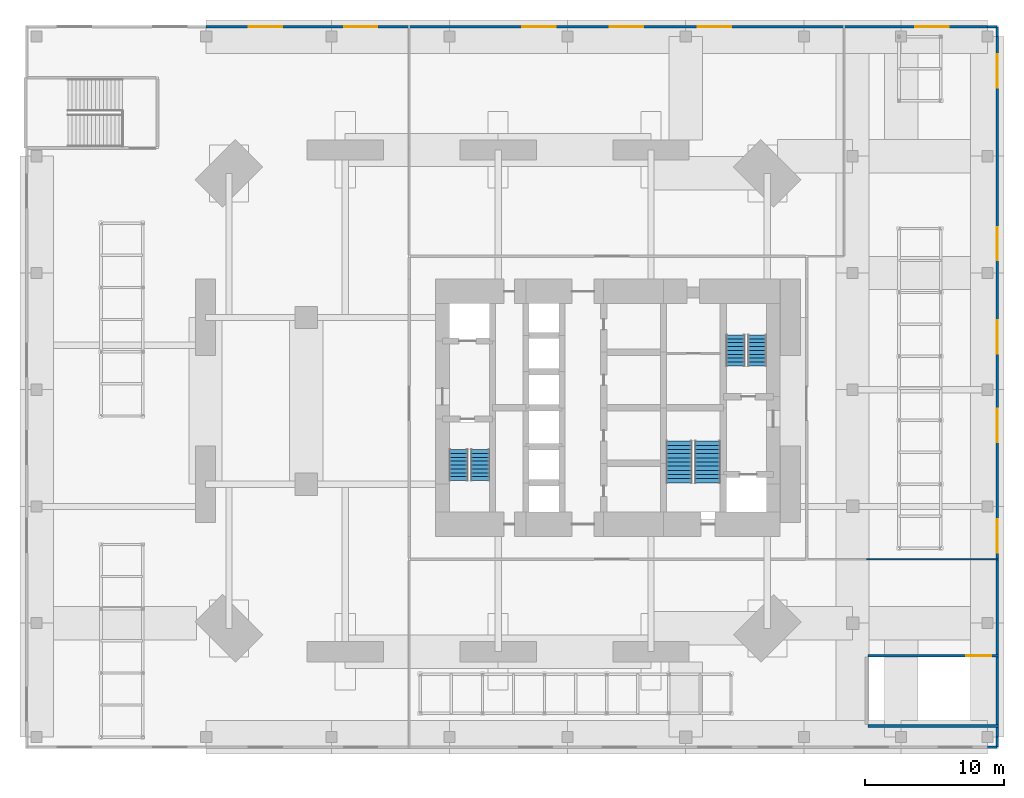
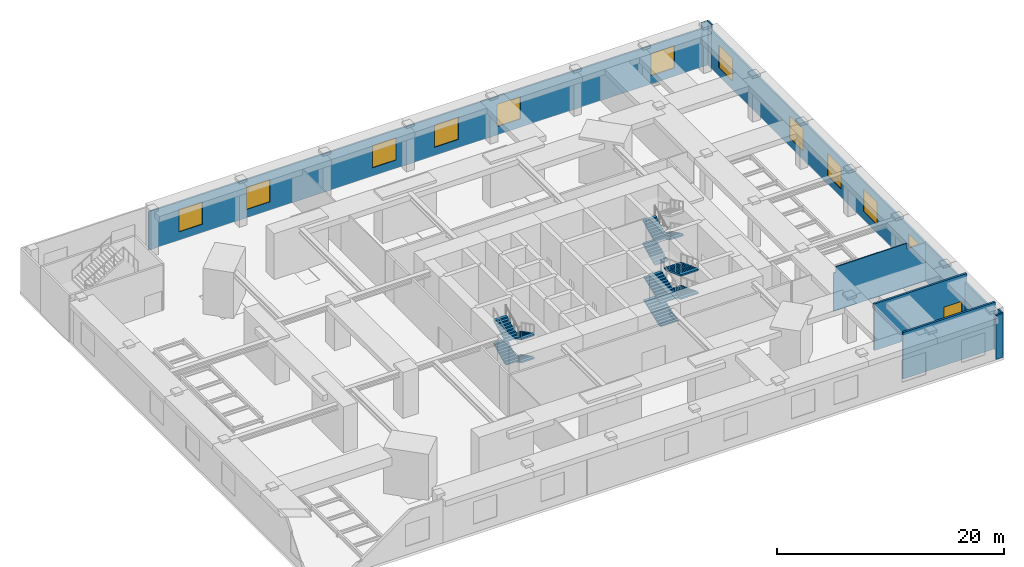
# One storey, part 14 of 17: 11 stair flights, 11 windows, 9 walls, 1 door, 12 openings, 3 elements without a shape of their own.
"""IFC4 building model written with IfcOpenShell, lengths in metres."""

import ifcopenshell
import ifcopenshell.guid

model = None  # the IFC model being written
_history = None  # IfcOwnerHistory: only IFC2X3 demands one
_inside = {}  # id of a spatial element -> (the spatial element, [elements in it])
_under = {}  # id of a project, library or spatial element -> (it, [spatial elements below it])
_declared = {}  # id of a project -> (the project, [libraries it declares])
_typed = {}  # id of a type object -> (the type object, [elements of that type])
_made_of = {}  # id of a material, layer set ... -> (it, [elements and type objects made of it])


def new_model(schema):
    """Start an empty IFC model of exactly this schema.

    Asked for "IFC4X3", IfcOpenShell would pick the latest addendum, in which some entities
    have other attributes; the version numbers below select the first issue.
    IFC2X3 requires an IfcOwnerHistory on every rooted entity: one is made here for all.
    """
    global model, _history
    if schema == "IFC4X3":
        model = ifcopenshell.file(schema_version=(4, 3, 0, 0))
    else:
        model = ifcopenshell.file(schema=schema)
    _inside.clear()
    _under.clear()
    _declared.clear()
    _typed.clear()
    _made_of.clear()
    _history = None
    if model.schema == "IFC2X3":
        org = make("IfcOrganization", Name="unknown")
        user = make(
            "IfcPersonAndOrganization",
            ThePerson=make("IfcPerson", FamilyName="unknown"),
            TheOrganization=org,
        )
        app = make(
            "IfcApplication",
            ApplicationDeveloper=org,
            Version="unknown",
            ApplicationFullName="unknown",
            ApplicationIdentifier="unknown",
        )
        _history = make(
            "IfcOwnerHistory",
            OwningUser=user,
            OwningApplication=app,
            ChangeAction="ADDED",
            CreationDate=0,
        )
    return model


def make(cls, **values):
    """One entity of the class cls with the attributes given. An attribute that is None is left unset."""
    return model.create_entity(
        cls, **{name: value for name, value in values.items() if value is not None}
    )


def rooted(cls, **values):
    """An entity with a GlobalId (a new one), such as an element, a storey or a relation."""
    return make(cls, GlobalId=ifcopenshell.guid.new(), OwnerHistory=_history, **values)


def si_unit(unit_type, name, prefix=None):
    """IfcSIUnit, for example si_unit("LENGTHUNIT", "METRE", prefix="MILLI")."""
    return make("IfcSIUnit", UnitType=unit_type, Prefix=prefix, Name=name)


def assignment(units):
    """IfcUnitAssignment: the units of a project."""
    return None if units is None else make("IfcUnitAssignment", Units=units)


def point(xyz):
    """IfcCartesianPoint."""
    return None if xyz is None else make("IfcCartesianPoint", Coordinates=xyz)


def direction(xyz):
    """IfcDirection."""
    return None if xyz is None else make("IfcDirection", DirectionRatios=xyz)


def frame(location, z_axis=None, x_axis=None):
    """IfcAxis2Placement3D, a coordinate frame: its origin and axes. An axis left out is left unset."""
    return make(
        "IfcAxis2Placement3D",
        Location=point(location),
        Axis=direction(z_axis),
        RefDirection=direction(x_axis),
    )


def frame_2d(location, x_axis=None):
    """IfcAxis2Placement2D, a coordinate frame in the plane: its origin and x axis."""
    return make(
        "IfcAxis2Placement2D", Location=point(location), RefDirection=direction(x_axis)
    )


def origin():
    """The frame at (0, 0, 0) with its axes left unset."""
    return frame((0.0, 0.0, 0.0))


def place(relative_to, where):
    """IfcLocalPlacement: puts the frame where relative to a parent placement (None: the world)."""
    return make(
        "IfcLocalPlacement", PlacementRelTo=relative_to, RelativePlacement=where
    )


def context(
    kind, dimensions, precision=None, world=None, true_north=None, identifier=None
):
    """IfcGeometricRepresentationContext, for example the 3D "Model" context."""
    return make(
        "IfcGeometricRepresentationContext",
        ContextIdentifier=identifier,
        ContextType=kind,
        CoordinateSpaceDimension=dimensions,
        Precision=precision,
        WorldCoordinateSystem=world,
        TrueNorth=true_north,
    )


def subcontext(parent, identifier, kind, view, scale=None):
    """IfcGeometricRepresentationSubContext, for example "Body" below "Model"."""
    return make(
        "IfcGeometricRepresentationSubContext",
        ContextIdentifier=identifier,
        ContextType=kind,
        ParentContext=parent,
        TargetScale=scale,
        TargetView=view,
    )


def project(units=None, contexts=None):
    """IfcProject with its units and contexts."""
    return rooted(
        "IfcProject",
        Name="project",
        RepresentationContexts=contexts,
        UnitsInContext=assignment(units),
    )


def spatial(cls, under=None, at=None, **own):
    """A site, building, storey or space (cls), placed at a placement, below another one or the project."""
    s = rooted(cls, ObjectPlacement=at, **own)
    if under is not None:
        _under.setdefault(under.id(), (under, []))[1].append(s)
    return s


def polyline(points):
    """IfcPolyline through the points."""
    return make("IfcPolyline", Points=[point(p) for p in points])


def profile(cls, at=None, kind="AREA", **sizes):
    """A parametric profile (cls). Its sizes go by their IFC names, for example OverallWidth=200.0."""
    return make(cls, ProfileType=kind, Position=at, **sizes)


def rectangle(**sizes):
    """IfcRectangleProfileDef."""
    return profile("IfcRectangleProfileDef", **sizes)


def outline(outer, holes=None, kind="AREA"):
    """IfcArbitraryClosedProfileDef: a profile drawn as a closed curve; with holes, ...WithVoids."""
    if holes is None:
        return make("IfcArbitraryClosedProfileDef", ProfileType=kind, OuterCurve=outer)
    return make(
        "IfcArbitraryProfileDefWithVoids",
        ProfileType=kind,
        OuterCurve=outer,
        InnerCurves=holes,
    )


def extrude(swept, where, along, depth):
    """IfcExtrudedAreaSolid: the profile swept, set in the frame where, extruded along a direction by depth."""
    return make(
        "IfcExtrudedAreaSolid",
        SweptArea=swept,
        Position=where,
        ExtrudedDirection=direction(along),
        Depth=depth,
    )


def shape(context_of_items, identifier, shape_type, items):
    """IfcShapeRepresentation: the items that make up one representation, for example the "Body"."""
    return make(
        "IfcShapeRepresentation",
        ContextOfItems=context_of_items,
        RepresentationIdentifier=identifier,
        RepresentationType=shape_type,
        Items=items,
    )


def material(Name=None, Category=None):
    """IfcMaterial."""
    return make("IfcMaterial", Name=Name, Category=Category)


def constituent(of_material, Name=None, Category=None, fraction=None):
    """IfcMaterialConstituent: one of the materials an element consists of."""
    return make(
        "IfcMaterialConstituent",
        Name=Name,
        Material=of_material,
        Fraction=fraction,
        Category=Category,
    )


def constituent_set(constituents=None, Name=None):
    """IfcMaterialConstituentSet."""
    return make(
        "IfcMaterialConstituentSet", Name=Name, MaterialConstituents=constituents
    )


def made_of(thing, what):
    """Note that an element or type object is made of a material, layer set ...; save() writes the relation."""
    if what is not None:
        _made_of.setdefault(what.id(), (what, []))[1].append(thing)
    return thing


def type_object(cls, material=None, **own):
    """A type object (cls), such as IfcWallType, which elements share."""
    return made_of(rooted(cls, **own), material)


def element(
    cls,
    number,
    at=None,
    inside=None,
    cuts=None,
    type_object=None,
    material=None,
    context=None,
    identifier="Body",
    shape_type=None,
    held_by="IfcProductDefinitionShape",
    body=None,
    shapes=None,
    **own,
):
    """One element of the class cls, such as IfcWall. Its Tag is "e" and its number.

    at: its placement. inside: the storey or other place that contains it. cuts: it is an
    opening in that element (IfcRelVoidsElement). A single representation is given by context,
    identifier, shape_type and body (its items); several are given by shapes. held_by: the class
    of the entity that holds the representations. save() writes the other relations.
    """
    e = rooted(cls, Tag="e%d" % number, ObjectPlacement=at, **own)
    if body is not None:
        shapes = [shape(context, identifier, shape_type, body)]
    if shapes is not None:
        e.Representation = make(held_by, Representations=shapes)
    if inside is not None:
        _inside.setdefault(inside.id(), (inside, []))[1].append(e)
    if cuts is not None:
        rooted(
            "IfcRelVoidsElement", RelatingBuildingElement=cuts, RelatedOpeningElement=e
        )
    if type_object is not None:
        _typed.setdefault(type_object.id(), (type_object, []))[1].append(e)
    return made_of(e, material)


def fill(opening, filler):
    """IfcRelFillsElement: the door or window that sits in an opening."""
    return rooted(
        "IfcRelFillsElement",
        RelatingOpeningElement=opening,
        RelatedBuildingElement=filler,
    )


def aggregate(whole, parts):
    """IfcRelAggregates: a whole, such as a stair, and the parts it consists of."""
    return rooted("IfcRelAggregates", RelatingObject=whole, RelatedObjects=parts)


def save(model, path):
    """Write the relations noted so far, then the file.

    IfcRelAggregates (storeys below a building ...), IfcRelContainedInSpatialStructure (elements
    in a storey), IfcRelDefinesByType, IfcRelAssociatesMaterial and IfcRelDeclares: one each for
    every whole, place, type object, material and project.
    """
    for whole, parts in _under.values():
        aggregate(whole, parts)
    for where, things in _inside.values():
        rooted(
            "IfcRelContainedInSpatialStructure",
            RelatedElements=things,
            RelatingStructure=where,
        )
    for kind, things in _typed.values():
        rooted("IfcRelDefinesByType", RelatedObjects=things, RelatingType=kind)
    for what, things in _made_of.values():
        rooted("IfcRelAssociatesMaterial", RelatedObjects=things, RelatingMaterial=what)
    for by, libraries in _declared.values():
        rooted("IfcRelDeclares", RelatingContext=by, RelatedDefinitions=libraries)
    model.write(path)


model = new_model("IFC4")

# Units and contexts
model_context = context("Model", 3, precision=1e-05, world=origin(), true_north=direction((0.0, 1.0)))
body_context = subcontext(model_context, "Body", "Model", "MODEL_VIEW")
ifc_project = project(units=[si_unit("LENGTHUNIT", "METRE"), si_unit("AREAUNIT", "SQUARE_METRE"), si_unit("VOLUMEUNIT", "CUBIC_METRE"), si_unit("PLANEANGLEUNIT", "RADIAN"), si_unit("MASSUNIT", "GRAM", prefix="KILO")], contexts=[model_context])

# Site, building, storey
site_placement = place(None, origin())
site = spatial("IfcSite", under=ifc_project, at=site_placement, CompositionType="ELEMENT")
building_placement = place(site_placement, origin())
building = spatial("IfcBuilding", under=site, at=building_placement, Name="Jalousie Tower", CompositionType="ELEMENT")
storey_placement = place(building_placement, frame((0.0, 0.0, 16.0)))
storey = spatial("IfcBuildingStorey", under=building, at=storey_placement, Name="L03", CompositionType="ELEMENT", Elevation=16.0)

# Walls
ifc_material_1 = material(Name="Concrete f'c 40 MPa", Category="concrete")
ifc_constituent_1 = constituent(ifc_material_1, Name="Body")
ifc_material_2 = material(Name="Render, pastel coral")
ifc_constituent_2 = constituent(ifc_material_2, Name="Finish")
ifc_constituent_set_1 = constituent_set(constituents=[ifc_constituent_1, ifc_constituent_2])
wall_type_1 = type_object("IfcWallType", Name="EXTERNAL WALL 175 CORAL RENDER", PredefinedType="SOLIDWALL", material=ifc_constituent_set_1)
for number, where, z_axis, x_axis, name in (
    (1, (59.199951171875, -5.91259765625, 0.0), (0.0, 0.0, 1.0), (1.0, 0.0, 0.0), "External Wall 175 Coral Render L03-C"),
    (2, (59.91259765625, -5.91259765625, 0.0), (0.0, 0.0, 1.0), (0.0, 1.0, 0.0), "External Wall 175 Coral Render L03-A"),
):
    element("IfcWall", number, at=place(storey_placement, frame(where, z_axis=z_axis, x_axis=x_axis)), inside=storey, type_object=wall_type_1, Name=name, PredefinedType="SOLIDWALL", context=body_context, shape_type="SweptSolid", body=[
        extrude(rectangle(XDim=0.712646484375, YDim=0.175048828125, at=frame_2d((0.3564453125, 0.0))), origin(), (0.0, 0.0, 1.0), 4.719970703125),
    ])

# Wall, openings, windows
wall_1_placement = place(storey_placement, frame((59.91259765625, -5.199951171875, 0.0), z_axis=(0.0, 0.0, 1.0), x_axis=(0.0, 1.0, 0.0)))
wall_1 = element("IfcWall", 3, at=wall_1_placement, inside=storey, type_object=wall_type_1, Name="External Wall 175 Coral Render L03-B", PredefinedType="SOLIDWALL", context=body_context, shape_type="SweptSolid", body=[
    extrude(rectangle(XDim=50.39990234375, YDim=0.175048828125, at=frame_2d((25.199951171875, 0.0))), origin(), (0.0, 0.0, 1.0), 4.1201171875),
])
opening_1_placement = place(wall_1_placement, frame((13.281982421875, 0.0, 0.89990234375)))
opening_1 = element("IfcOpeningElement", 4, at=opening_1_placement, cuts=wall_1, Name="Opening W-PLANT", PredefinedType="OPENING", context=body_context, shape_type="SweptSolid", body=[
    extrude(rectangle(XDim=2.39990234375, YDim=2.39990234375, at=frame_2d((1.199951171875, 1.199951171875))), frame((0.0, 0.097412109375, 0.0), z_axis=(0.0, -1.0, 0.0), x_axis=(1.0, 0.0, 0.0)), (0.0, 0.0, 1.0), 0.195068359375),
])
opening_2_placement = place(wall_1_placement, frame((21.215576171875, 0.0, 0.89990234375)))
opening_2 = element("IfcOpeningElement", 5, at=opening_2_placement, cuts=wall_1, Name="Opening W-PLANT", PredefinedType="OPENING", context=body_context, shape_type="SweptSolid", body=[
    extrude(rectangle(XDim=2.39990234375, YDim=2.39990234375, at=frame_2d((1.199951171875, 1.199951171875))), frame((0.0, 0.097412109375, 0.0), z_axis=(0.0, -1.0, 0.0), x_axis=(1.0, 0.0, 0.0)), (0.0, 0.0, 1.0), 0.195068359375),
])
opening_3_placement = place(wall_1_placement, frame((27.5927734375, 0.0, 0.89990234375)))
opening_3 = element("IfcOpeningElement", 6, at=opening_3_placement, cuts=wall_1, Name="Opening W-PLANT", PredefinedType="OPENING", context=body_context, shape_type="SweptSolid", body=[
    extrude(rectangle(XDim=2.39990234375, YDim=2.39990234375, at=frame_2d((1.199951171875, 1.199951171875))), frame((0.0, 0.097412109375, 0.0), z_axis=(0.0, -1.0, 0.0), x_axis=(1.0, 0.0, 0.0)), (0.0, 0.0, 1.0), 0.195068359375),
])
opening_4_placement = place(wall_1_placement, frame((34.297607421875, 0.0, 0.89990234375)))
opening_4 = element("IfcOpeningElement", 7, at=opening_4_placement, cuts=wall_1, Name="Opening W-PLANT", PredefinedType="OPENING", context=body_context, shape_type="SweptSolid", body=[
    extrude(rectangle(XDim=2.39990234375, YDim=2.39990234375, at=frame_2d((1.199951171875, 1.199951171875))), frame((0.0, 0.097412109375, 0.0), z_axis=(0.0, -1.0, 0.0), x_axis=(1.0, 0.0, 0.0)), (0.0, 0.0, 1.0), 0.195068359375),
])
opening_5_placement = place(wall_1_placement, frame((46.72412109375, 0.0, 0.89990234375)))
opening_5 = element("IfcOpeningElement", 8, at=opening_5_placement, cuts=wall_1, Name="Opening W-PLANT", PredefinedType="OPENING", context=body_context, shape_type="SweptSolid", body=[
    extrude(rectangle(XDim=2.39990234375, YDim=2.39990234375, at=frame_2d((1.199951171875, 1.199951171875))), frame((0.0, 0.097412109375, 0.0), z_axis=(0.0, -1.0, 0.0), x_axis=(1.0, 0.0, 0.0)), (0.0, 0.0, 1.0), 0.195068359375),
])
ifc_material_3 = material(Name="Aluminium frame, impact-rated glazing", Category="aluminium")
window_type = type_object("IfcWindowType", Name="WINDOW PLANT 2400x2400", PartitioningType="DOUBLE_PANEL_VERTICAL", PredefinedType="WINDOW", material=ifc_material_3)
window_1_placement = place(opening_1_placement, origin())
window_1 = element("IfcWindow", 9, at=window_1_placement, inside=storey, type_object=window_type, Name="Air handling plant room louvre", OverallHeight=2.39990234375, OverallWidth=2.39990234375, PartitioningType="SINGLE_PANEL", PredefinedType="WINDOW", context=body_context, shape_type="SweptSolid", body=[
    extrude(rectangle(XDim=2.39990234375, YDim=2.39990234375, at=frame_2d((1.199951171875, 1.199951171875))), frame((0.0, 0.030029296875, 0.0), z_axis=(0.0, -1.0, 0.0), x_axis=(1.0, 0.0, 0.0)), (0.0, 0.0, 1.0), 0.06005859375),
])
fill(opening_1, window_1)
window_2_placement = place(opening_2_placement, origin())
window_2 = element("IfcWindow", 10, at=window_2_placement, inside=storey, type_object=window_type, Name="Air handling plant room louvre", OverallHeight=2.39990234375, OverallWidth=2.39990234375, PartitioningType="SINGLE_PANEL", PredefinedType="WINDOW", context=body_context, shape_type="SweptSolid", body=[
    extrude(rectangle(XDim=2.39990234375, YDim=2.39990234375, at=frame_2d((1.199951171875, 1.199951171875))), frame((0.0, 0.030029296875, 0.0), z_axis=(0.0, -1.0, 0.0), x_axis=(1.0, 0.0, 0.0)), (0.0, 0.0, 1.0), 0.06005859375),
])
fill(opening_2, window_2)
window_3_placement = place(opening_3_placement, origin())
window_3 = element("IfcWindow", 11, at=window_3_placement, inside=storey, type_object=window_type, Name="Air handling plant room louvre", OverallHeight=2.39990234375, OverallWidth=2.39990234375, PartitioningType="SINGLE_PANEL", PredefinedType="WINDOW", context=body_context, shape_type="SweptSolid", body=[
    extrude(rectangle(XDim=2.39990234375, YDim=2.39990234375, at=frame_2d((1.199951171875, 1.199951171875))), frame((0.0, 0.030029296875, 0.0), z_axis=(0.0, -1.0, 0.0), x_axis=(1.0, 0.0, 0.0)), (0.0, 0.0, 1.0), 0.06005859375),
])
fill(opening_3, window_3)
window_4_placement = place(opening_4_placement, origin())
window_4 = element("IfcWindow", 12, at=window_4_placement, inside=storey, type_object=window_type, Name="Air handling plant room louvre", OverallHeight=2.39990234375, OverallWidth=2.39990234375, PartitioningType="SINGLE_PANEL", PredefinedType="WINDOW", context=body_context, shape_type="SweptSolid", body=[
    extrude(rectangle(XDim=2.39990234375, YDim=2.39990234375, at=frame_2d((1.199951171875, 1.199951171875))), frame((0.0, 0.030029296875, 0.0), z_axis=(0.0, -1.0, 0.0), x_axis=(1.0, 0.0, 0.0)), (0.0, 0.0, 1.0), 0.06005859375),
])
fill(opening_4, window_4)
window_5_placement = place(opening_5_placement, origin())
window_5 = element("IfcWindow", 13, at=window_5_placement, inside=storey, type_object=window_type, Name="Air handling plant room louvre", OverallHeight=2.39990234375, OverallWidth=2.39990234375, PartitioningType="SINGLE_PANEL", PredefinedType="WINDOW", context=body_context, shape_type="SweptSolid", body=[
    extrude(rectangle(XDim=2.39990234375, YDim=2.39990234375, at=frame_2d((1.199951171875, 1.199951171875))), frame((0.0, 0.030029296875, 0.0), z_axis=(0.0, -1.0, 0.0), x_axis=(1.0, 0.0, 0.0)), (0.0, 0.0, 1.0), 0.06005859375),
])
fill(opening_5, window_5)

# Walls
for number, where, z_axis, x_axis, name in (
    (14, (59.91259765625, 45.199951171875, 0.0), (0.0, 0.0, 1.0), (0.0, 1.0, 0.0), "External Wall 175 Coral Render L03-C"),
    (15, (59.91259765625, 45.91259765625, 0.0), (0.0, 0.0, 1.0), (-1.0, 0.0, 0.0), "External Wall 175 Coral Render L03-A"),
):
    element("IfcWall", number, at=place(storey_placement, frame(where, z_axis=z_axis, x_axis=x_axis)), inside=storey, type_object=wall_type_1, Name=name, PredefinedType="SOLIDWALL", context=body_context, shape_type="SweptSolid", body=[
        extrude(rectangle(XDim=0.712646484375, YDim=0.175048828125, at=frame_2d((0.3564453125, 0.0))), origin(), (0.0, 0.0, 1.0), 4.719970703125),
    ])

# Wall, openings, windows
wall_2_placement = place(storey_placement, frame((59.199951171875, 45.91259765625, 0.0), z_axis=(0.0, 0.0, 1.0), x_axis=(-1.0, 0.0, 0.0)))
wall_2 = element("IfcWall", 16, at=wall_2_placement, inside=storey, type_object=wall_type_1, Name="External Wall 175 Coral Render L03-B", PredefinedType="SOLIDWALL", context=body_context, shape_type="SweptSolid", body=[
    extrude(rectangle(XDim=56.199951171875, YDim=0.175048828125, at=frame_2d((28.10009765625, 0.0))), origin(), (0.0, 0.0, 1.0), 4.1201171875),
])
opening_6_placement = place(wall_2_placement, frame((2.782470703125, 0.0, 0.89990234375)))
opening_6 = element("IfcOpeningElement", 17, at=opening_6_placement, cuts=wall_2, Name="Opening W-PLANT", PredefinedType="OPENING", context=body_context, shape_type="SweptSolid", body=[
    extrude(rectangle(XDim=2.39990234375, YDim=2.39990234375, at=frame_2d((1.199951171875, 1.199951171875))), frame((0.0, 0.097412109375, 0.0), z_axis=(0.0, -1.0, 0.0), x_axis=(1.0, 0.0, 0.0)), (0.0, 0.0, 1.0), 0.195068359375),
])
opening_7_placement = place(wall_2_placement, frame((18.431396484375, 0.0, 0.89990234375)))
opening_7 = element("IfcOpeningElement", 18, at=opening_7_placement, cuts=wall_2, Name="Opening W-PLANT", PredefinedType="OPENING", context=body_context, shape_type="SweptSolid", body=[
    extrude(rectangle(XDim=2.39990234375, YDim=2.39990234375, at=frame_2d((1.199951171875, 1.199951171875))), frame((0.0, 0.097412109375, 0.0), z_axis=(0.0, -1.0, 0.0), x_axis=(1.0, 0.0, 0.0)), (0.0, 0.0, 1.0), 0.195068359375),
])
opening_8_placement = place(wall_2_placement, frame((24.75, 0.0, 0.89990234375)))
opening_8 = element("IfcOpeningElement", 19, at=opening_8_placement, cuts=wall_2, Name="Opening W-PLANT", PredefinedType="OPENING", context=body_context, shape_type="SweptSolid", body=[
    extrude(rectangle(XDim=2.39990234375, YDim=2.39990234375, at=frame_2d((1.199951171875, 1.199951171875))), frame((0.0, 0.097412109375, 0.0), z_axis=(0.0, -1.0, 0.0), x_axis=(1.0, 0.0, 0.0)), (0.0, 0.0, 1.0), 0.195068359375),
])
opening_9_placement = place(wall_2_placement, frame((31.068603515625, 0.0, 0.89990234375)))
opening_9 = element("IfcOpeningElement", 20, at=opening_9_placement, cuts=wall_2, Name="Opening W-PLANT", PredefinedType="OPENING", context=body_context, shape_type="SweptSolid", body=[
    extrude(rectangle(XDim=2.39990234375, YDim=2.39990234375, at=frame_2d((1.199951171875, 1.199951171875))), frame((0.0, 0.097412109375, 0.0), z_axis=(0.0, -1.0, 0.0), x_axis=(1.0, 0.0, 0.0)), (0.0, 0.0, 1.0), 0.195068359375),
])
opening_10_placement = place(wall_2_placement, frame((43.8828125, 0.0, 0.89990234375)))
opening_10 = element("IfcOpeningElement", 21, at=opening_10_placement, cuts=wall_2, Name="Opening W-PLANT", PredefinedType="OPENING", context=body_context, shape_type="SweptSolid", body=[
    extrude(rectangle(XDim=2.39990234375, YDim=2.39990234375, at=frame_2d((1.199951171875, 1.199951171875))), frame((0.0, 0.097412109375, 0.0), z_axis=(0.0, -1.0, 0.0), x_axis=(1.0, 0.0, 0.0)), (0.0, 0.0, 1.0), 0.195068359375),
])
opening_11_placement = place(wall_2_placement, frame((50.748291015625, 0.0, 0.89990234375)))
opening_11 = element("IfcOpeningElement", 22, at=opening_11_placement, cuts=wall_2, Name="Opening W-PLANT", PredefinedType="OPENING", context=body_context, shape_type="SweptSolid", body=[
    extrude(rectangle(XDim=2.39990234375, YDim=2.39990234375, at=frame_2d((1.199951171875, 1.199951171875))), frame((0.0, 0.097412109375, 0.0), z_axis=(0.0, -1.0, 0.0), x_axis=(1.0, 0.0, 0.0)), (0.0, 0.0, 1.0), 0.195068359375),
])
window_6_placement = place(opening_6_placement, origin())
window_6 = element("IfcWindow", 23, at=window_6_placement, inside=storey, type_object=window_type, Name="Air handling plant room louvre", OverallHeight=2.39990234375, OverallWidth=2.39990234375, PartitioningType="SINGLE_PANEL", PredefinedType="WINDOW", context=body_context, shape_type="SweptSolid", body=[
    extrude(rectangle(XDim=2.39990234375, YDim=2.39990234375, at=frame_2d((1.199951171875, 1.199951171875))), frame((0.0, 0.030029296875, 0.0), z_axis=(0.0, -1.0, 0.0), x_axis=(1.0, 0.0, 0.0)), (0.0, 0.0, 1.0), 0.06005859375),
])
fill(opening_6, window_6)
window_7_placement = place(opening_7_placement, origin())
window_7 = element("IfcWindow", 24, at=window_7_placement, inside=storey, type_object=window_type, Name="Water tank room louvre", OverallHeight=2.39990234375, OverallWidth=2.39990234375, PartitioningType="SINGLE_PANEL", PredefinedType="WINDOW", context=body_context, shape_type="SweptSolid", body=[
    extrude(rectangle(XDim=2.39990234375, YDim=2.39990234375, at=frame_2d((1.199951171875, 1.199951171875))), frame((0.0, 0.030029296875, 0.0), z_axis=(0.0, -1.0, 0.0), x_axis=(1.0, 0.0, 0.0)), (0.0, 0.0, 1.0), 0.06005859375),
])
fill(opening_7, window_7)
window_8_placement = place(opening_8_placement, origin())
window_8 = element("IfcWindow", 25, at=window_8_placement, inside=storey, type_object=window_type, Name="Water tank room louvre", OverallHeight=2.39990234375, OverallWidth=2.39990234375, PartitioningType="SINGLE_PANEL", PredefinedType="WINDOW", context=body_context, shape_type="SweptSolid", body=[
    extrude(rectangle(XDim=2.39990234375, YDim=2.39990234375, at=frame_2d((1.199951171875, 1.199951171875))), frame((0.0, 0.030029296875, 0.0), z_axis=(0.0, -1.0, 0.0), x_axis=(1.0, 0.0, 0.0)), (0.0, 0.0, 1.0), 0.06005859375),
])
fill(opening_8, window_8)
window_9_placement = place(opening_9_placement, origin())
window_9 = element("IfcWindow", 26, at=window_9_placement, inside=storey, type_object=window_type, Name="Water tank room louvre", OverallHeight=2.39990234375, OverallWidth=2.39990234375, PartitioningType="SINGLE_PANEL", PredefinedType="WINDOW", context=body_context, shape_type="SweptSolid", body=[
    extrude(rectangle(XDim=2.39990234375, YDim=2.39990234375, at=frame_2d((1.199951171875, 1.199951171875))), frame((0.0, 0.030029296875, 0.0), z_axis=(0.0, -1.0, 0.0), x_axis=(1.0, 0.0, 0.0)), (0.0, 0.0, 1.0), 0.06005859375),
])
fill(opening_9, window_9)
window_10_placement = place(opening_10_placement, origin())
window_10 = element("IfcWindow", 27, at=window_10_placement, inside=storey, type_object=window_type, Name="Mechanical plant room louvre", OverallHeight=2.39990234375, OverallWidth=2.39990234375, PartitioningType="SINGLE_PANEL", PredefinedType="WINDOW", context=body_context, shape_type="SweptSolid", body=[
    extrude(rectangle(XDim=2.39990234375, YDim=2.39990234375, at=frame_2d((1.199951171875, 1.199951171875))), frame((0.0, 0.030029296875, 0.0), z_axis=(0.0, -1.0, 0.0), x_axis=(1.0, 0.0, 0.0)), (0.0, 0.0, 1.0), 0.06005859375),
])
fill(opening_10, window_10)
window_11_placement = place(opening_11_placement, origin())
window_11 = element("IfcWindow", 28, at=window_11_placement, inside=storey, type_object=window_type, Name="Mechanical plant room louvre", OverallHeight=2.39990234375, OverallWidth=2.39990234375, PartitioningType="SINGLE_PANEL", PredefinedType="WINDOW", context=body_context, shape_type="SweptSolid", body=[
    extrude(rectangle(XDim=2.39990234375, YDim=2.39990234375, at=frame_2d((1.199951171875, 1.199951171875))), frame((0.0, 0.030029296875, 0.0), z_axis=(0.0, -1.0, 0.0), x_axis=(1.0, 0.0, 0.0)), (0.0, 0.0, 1.0), 0.06005859375),
])
fill(opening_11, window_11)

# Walls
ifc_material_4 = material(Name="Gypsum board", Category="gypsum")
ifc_constituent_3 = constituent(ifc_material_4, Name="Body")
ifc_material_5 = material(Name="Light-gauge steel studs ASTM A653 SS Grade 33", Category="steel")
ifc_constituent_4 = constituent(ifc_material_5, Name="Framing")
ifc_constituent_set_2 = constituent_set(constituents=[ifc_constituent_3, ifc_constituent_4])
wall_type_2 = type_object("IfcWallType", Name="PARTITION 100", PredefinedType="PARTITIONING", material=ifc_constituent_set_2)
wall_3_placement = place(storey_placement, frame((50.5, 7.60009765625, 0.0), z_axis=(0.0, 0.0, 1.0), x_axis=(1.0, 0.0, 0.0)))
element("IfcWall", 29, at=wall_3_placement, inside=storey, type_object=wall_type_2, Name="Partition 100 L03", PredefinedType="PARTITIONING", context=body_context, shape_type="SweptSolid", body=[
    extrude(outline(polyline([(0.0, 0.0), (9.5, 0.0), (9.5, 4.719970703125), (9.5, 4.1201171875), (7.43994140625, 4.1201171875), (7.43994140625, 4.719970703125), (0.260009765625, 4.719970703125), (0.260009765625, 4.1201171875), (0.0, 4.1201171875), (0.0, 4.719970703125), (0.0, 0.0)])), frame((0.0, 0.050048828125, 0.0), z_axis=(0.0, -1.0, 0.0), x_axis=(1.0, 0.0, 0.0)), (0.0, 0.0, 1.0), 0.10009765625),
])
ifc_material_6 = material(Name="Concrete block ASTM C90", Category="concrete")
ifc_constituent_5 = constituent(ifc_material_6, Name="Body")
ifc_material_7 = material(Name="Render")
ifc_constituent_6 = constituent(ifc_material_7, Name="Finish")
ifc_constituent_set_3 = constituent_set(constituents=[ifc_constituent_5, ifc_constituent_6])
wall_type_3 = type_object("IfcWallType", Name="STAIR WALL 200", PredefinedType="SOLIDWALL", material=ifc_constituent_set_3)
wall_4_placement = place(storey_placement, frame((50.60009765625, -4.39990234375, 0.0), z_axis=(0.0, 0.0, 1.0), x_axis=(1.0, 0.0, 0.0)))
element("IfcWall", 30, at=wall_4_placement, inside=storey, type_object=wall_type_3, Name="Stair Wall 200 L03", PredefinedType="SOLIDWALL", context=body_context, shape_type="SweptSolid", body=[
    extrude(rectangle(XDim=9.39990234375, YDim=0.199951171875, at=frame_2d((4.699951171875, 0.0))), origin(), (0.0, 0.0, 1.0), 5.0),
])

# Wall, opening, door
wall_5_placement = place(storey_placement, frame((50.60009765625, 0.64990234375, 0.0), z_axis=(0.0, 0.0, 1.0), x_axis=(1.0, 0.0, 0.0)))
wall_5 = element("IfcWall", 31, at=wall_5_placement, inside=storey, type_object=wall_type_3, Name="Stair Wall 200 L03", PredefinedType="SOLIDWALL", context=body_context, shape_type="SweptSolid", body=[
    extrude(rectangle(XDim=9.39990234375, YDim=0.199951171875, at=frame_2d((4.699951171875, 0.0))), origin(), (0.0, 0.0, 1.0), 5.0),
])
opening_12_placement = place(wall_5_placement, frame((7.094970703125, 0.0, 0.0)))
opening_12 = element("IfcOpeningElement", 32, at=opening_12_placement, cuts=wall_5, Name="Opening D17", PredefinedType="OPENING", context=body_context, shape_type="SweptSolid", body=[
    extrude(rectangle(XDim=1.800048828125, YDim=2.199951171875, at=frame_2d((0.89990234375, 1.10009765625))), frame((0.0, 0.10986328125, 0.0), z_axis=(0.0, -1.0, 0.0), x_axis=(1.0, 0.0, 0.0)), (0.0, 0.0, 1.0), 0.219970703125),
])
ifc_material_8 = material(Name="Steel fire door", Category="steel")
door_type = type_object("IfcDoorType", Name="STAIR DOOR 1800", OperationType="DOUBLE_DOOR_SINGLE_SWING", PredefinedType="DOOR", material=ifc_material_8)
door_placement = place(opening_12_placement, frame((1.800048828125, 0.0, 0.0), z_axis=(0.0, 0.0, 1.0), x_axis=(-1.0, 0.0, 0.0)))
door = element("IfcDoor", 33, at=door_placement, inside=storey, type_object=door_type, Name="Stair PS2 door", OperationType="DOUBLE_DOOR_SINGLE_SWING", OverallHeight=2.199951171875, OverallWidth=1.800048828125, PredefinedType="DOOR", context=body_context, shape_type="SweptSolid", body=[
    extrude(rectangle(XDim=1.800048828125, YDim=2.199951171875, at=frame_2d((0.89990234375, 1.10009765625))), frame((0.0, 0.02490234375, 0.0), z_axis=(0.0, -1.0, 0.0), x_axis=(1.0, 0.0, 0.0)), (0.0, 0.0, 1.0), 0.050048828125),
])
fill(opening_12, door)

# Stair, stair flights
ifc_material_9 = material(Name="Concrete f'c 40 MPa", Category="concrete")
stair_type = type_object("IfcStairType", Name="EXIT STAIR", PredefinedType="HALF_TURN_STAIR", material=ifc_material_9)
stair_1_placement = place(storey_placement, origin())
stair_1 = element("IfcStair", 34, at=stair_1_placement, inside=storey, type_object=stair_type, Name="Exit stair A L03", PredefinedType="HALF_TURN_STAIR")
ifc_material_10 = material(Name="Concrete f'c 40 MPa", Category="concrete")
stair_flight_type = type_object("IfcStairFlightType", Name="STAIR FLIGHT", PredefinedType="STRAIGHT", material=ifc_material_10)
stair_flight_1_placement = place(storey_placement, frame((22.71875, 15.49755859375, 0.0), z_axis=(0.0, 0.0, 1.0), x_axis=(0.0, -1.0, 0.0)))
stair_flight_1 = element("IfcStairFlight", 35, at=stair_flight_1_placement, type_object=stair_flight_type, Name="ST-A flight 1", NumberOfRisers=9, NumberOfTreads=8, PredefinedType="STRAIGHT", RiserHeight=0.138888889, TreadLength=0.28, context=body_context, shape_type="SweptSolid", body=[
    extrude(outline(polyline([(0.0, 0.0), (0.0, 0.138916015625), (0.280029296875, 0.138916015625), (0.280029296875, 0.27783203125), (0.56005859375, 0.27783203125), (0.56005859375, 0.416748046875), (0.840087890625, 0.416748046875), (0.840087890625, 0.5556640625), (1.1201171875, 0.5556640625), (1.1201171875, 0.6943359375), (1.39990234375, 0.6943359375), (1.39990234375, 0.833251953125), (1.679931640625, 0.833251953125), (1.679931640625, 0.97216796875), (1.9599609375, 0.97216796875), (1.9599609375, 1.111083984375), (2.239990234375, 1.111083984375), (2.239990234375, 1.25), (2.239990234375, 0.94384765625), (0.33740234375, 0.0), (0.0, 0.0)])), frame((0.0, 0.65625, 0.0), z_axis=(0.0, -1.0, 0.0), x_axis=(1.0, 0.0, 0.0)), (0.0, 0.0, 1.0), 1.3125),
])
stair_flight_2_placement = place(storey_placement, frame((21.15625, 13.257568359375, 1.25), z_axis=(0.0, 0.0, 1.0), x_axis=(0.0, 1.0, 0.0)))
stair_flight_2 = element("IfcStairFlight", 36, at=stair_flight_2_placement, type_object=stair_flight_type, Name="ST-A flight 2", NumberOfRisers=9, NumberOfTreads=8, PredefinedType="STRAIGHT", RiserHeight=0.138888889, TreadLength=0.28, context=body_context, shape_type="SweptSolid", body=[
    extrude(outline(polyline([(0.0, 0.0), (0.0, 0.138916015625), (0.280029296875, 0.138916015625), (0.280029296875, 0.27783203125), (0.56005859375, 0.27783203125), (0.56005859375, 0.416748046875), (0.840087890625, 0.416748046875), (0.840087890625, 0.5556640625), (1.1201171875, 0.5556640625), (1.1201171875, 0.6943359375), (1.39990234375, 0.6943359375), (1.39990234375, 0.833251953125), (1.679931640625, 0.833251953125), (1.679931640625, 0.97216796875), (1.9599609375, 0.97216796875), (1.9599609375, 1.111083984375), (2.239990234375, 1.111083984375), (2.239990234375, 1.25), (2.239990234375, 0.94384765625), (0.33740234375, 0.0), (0.0, 0.0)])), frame((0.0, 0.65625, 0.0), z_axis=(0.0, -1.0, 0.0), x_axis=(1.0, 0.0, 0.0)), (0.0, 0.0, 1.0), 1.3125),
])
stair_flight_3_placement = place(storey_placement, frame((22.71875, 15.49755859375, 2.5), z_axis=(0.0, 0.0, 1.0), x_axis=(0.0, -1.0, 0.0)))
stair_flight_3 = element("IfcStairFlight", 37, at=stair_flight_3_placement, type_object=stair_flight_type, Name="ST-A flight 3", NumberOfRisers=9, NumberOfTreads=8, PredefinedType="STRAIGHT", RiserHeight=0.138888889, TreadLength=0.28, context=body_context, shape_type="SweptSolid", body=[
    extrude(outline(polyline([(0.0, 0.0), (0.0, 0.138916015625), (0.280029296875, 0.138916015625), (0.280029296875, 0.27783203125), (0.56005859375, 0.27783203125), (0.56005859375, 0.416748046875), (0.840087890625, 0.416748046875), (0.840087890625, 0.5556640625), (1.1201171875, 0.5556640625), (1.1201171875, 0.6943359375), (1.39990234375, 0.6943359375), (1.39990234375, 0.833251953125), (1.679931640625, 0.833251953125), (1.679931640625, 0.97216796875), (1.9599609375, 0.97216796875), (1.9599609375, 1.111083984375), (2.239990234375, 1.111083984375), (2.239990234375, 1.25), (2.239990234375, 0.94384765625), (0.33740234375, 0.0), (0.0, 0.0)])), frame((0.0, 0.65625, 0.0), z_axis=(0.0, -1.0, 0.0), x_axis=(1.0, 0.0, 0.0)), (0.0, 0.0, 1.0), 1.3125),
])
stair_flight_4_placement = place(storey_placement, frame((21.15625, 13.257568359375, 3.75), z_axis=(0.0, 0.0, 1.0), x_axis=(0.0, 1.0, 0.0)))
stair_flight_4 = element("IfcStairFlight", 38, at=stair_flight_4_placement, type_object=stair_flight_type, Name="ST-A flight 4", NumberOfRisers=9, NumberOfTreads=8, PredefinedType="STRAIGHT", RiserHeight=0.138888889, TreadLength=0.28, context=body_context, shape_type="SweptSolid", body=[
    extrude(outline(polyline([(0.0, 0.0), (0.0, 0.138916015625), (0.280029296875, 0.138916015625), (0.280029296875, 0.27783203125), (0.56005859375, 0.27783203125), (0.56005859375, 0.416748046875), (0.840087890625, 0.416748046875), (0.840087890625, 0.5556640625), (1.1201171875, 0.5556640625), (1.1201171875, 0.6943359375), (1.39990234375, 0.6943359375), (1.39990234375, 0.833251953125), (1.679931640625, 0.833251953125), (1.679931640625, 0.97216796875), (1.9599609375, 0.97216796875), (1.9599609375, 1.111083984375), (2.239990234375, 1.111083984375), (2.239990234375, 1.25), (2.239990234375, 0.94384765625), (0.33740234375, 0.0), (0.0, 0.0)])), frame((0.0, 0.65625, 0.0), z_axis=(0.0, -1.0, 0.0), x_axis=(1.0, 0.0, 0.0)), (0.0, 0.0, 1.0), 1.3125),
])
aggregate(stair_1, [stair_flight_1, stair_flight_2, stair_flight_3, stair_flight_4])

stair_2_placement = place(storey_placement, origin())
stair_2 = element("IfcStair", 39, at=stair_2_placement, inside=storey, type_object=stair_type, Name="Exit stair B L03", PredefinedType="HALF_TURN_STAIR")
stair_flight_5_placement = place(storey_placement, frame((41.081298828125, 21.50244140625, 0.0), z_axis=(0.0, 0.0, 1.0), x_axis=(0.0, 1.0, 0.0)))
stair_flight_5 = element("IfcStairFlight", 40, at=stair_flight_5_placement, type_object=stair_flight_type, Name="ST-B flight 1", NumberOfRisers=9, NumberOfTreads=8, PredefinedType="STRAIGHT", RiserHeight=0.138888889, TreadLength=0.28, context=body_context, shape_type="SweptSolid", body=[
    extrude(outline(polyline([(0.0, 0.0), (0.0, 0.138916015625), (0.280029296875, 0.138916015625), (0.280029296875, 0.27783203125), (0.56005859375, 0.27783203125), (0.56005859375, 0.416748046875), (0.840087890625, 0.416748046875), (0.840087890625, 0.5556640625), (1.1201171875, 0.5556640625), (1.1201171875, 0.6943359375), (1.39990234375, 0.6943359375), (1.39990234375, 0.833251953125), (1.679931640625, 0.833251953125), (1.679931640625, 0.97216796875), (1.9599609375, 0.97216796875), (1.9599609375, 1.111083984375), (2.239990234375, 1.111083984375), (2.239990234375, 1.25), (2.239990234375, 0.94384765625), (0.33740234375, 0.0), (0.0, 0.0)])), frame((0.0, 0.65625, 0.0), z_axis=(0.0, -1.0, 0.0), x_axis=(1.0, 0.0, 0.0)), (0.0, 0.0, 1.0), 1.3125),
])
stair_flight_6_placement = place(storey_placement, frame((42.643798828125, 23.742431640625, 1.25), z_axis=(0.0, 0.0, 1.0), x_axis=(0.0, -1.0, 0.0)))
stair_flight_6 = element("IfcStairFlight", 41, at=stair_flight_6_placement, type_object=stair_flight_type, Name="ST-B flight 2", NumberOfRisers=9, NumberOfTreads=8, PredefinedType="STRAIGHT", RiserHeight=0.138888889, TreadLength=0.28, context=body_context, shape_type="SweptSolid", body=[
    extrude(outline(polyline([(0.0, 0.0), (0.0, 0.138916015625), (0.280029296875, 0.138916015625), (0.280029296875, 0.27783203125), (0.56005859375, 0.27783203125), (0.56005859375, 0.416748046875), (0.840087890625, 0.416748046875), (0.840087890625, 0.5556640625), (1.1201171875, 0.5556640625), (1.1201171875, 0.6943359375), (1.39990234375, 0.6943359375), (1.39990234375, 0.833251953125), (1.679931640625, 0.833251953125), (1.679931640625, 0.97216796875), (1.9599609375, 0.97216796875), (1.9599609375, 1.111083984375), (2.239990234375, 1.111083984375), (2.239990234375, 1.25), (2.239990234375, 0.94384765625), (0.33740234375, 0.0), (0.0, 0.0)])), frame((0.0, 0.65625, 0.0), z_axis=(0.0, -1.0, 0.0), x_axis=(1.0, 0.0, 0.0)), (0.0, 0.0, 1.0), 1.3125),
])
stair_flight_7_placement = place(storey_placement, frame((41.081298828125, 21.50244140625, 2.5), z_axis=(0.0, 0.0, 1.0), x_axis=(0.0, 1.0, 0.0)))
stair_flight_7 = element("IfcStairFlight", 42, at=stair_flight_7_placement, type_object=stair_flight_type, Name="ST-B flight 3", NumberOfRisers=9, NumberOfTreads=8, PredefinedType="STRAIGHT", RiserHeight=0.138888889, TreadLength=0.28, context=body_context, shape_type="SweptSolid", body=[
    extrude(outline(polyline([(0.0, 0.0), (0.0, 0.138916015625), (0.280029296875, 0.138916015625), (0.280029296875, 0.27783203125), (0.56005859375, 0.27783203125), (0.56005859375, 0.416748046875), (0.840087890625, 0.416748046875), (0.840087890625, 0.5556640625), (1.1201171875, 0.5556640625), (1.1201171875, 0.6943359375), (1.39990234375, 0.6943359375), (1.39990234375, 0.833251953125), (1.679931640625, 0.833251953125), (1.679931640625, 0.97216796875), (1.9599609375, 0.97216796875), (1.9599609375, 1.111083984375), (2.239990234375, 1.111083984375), (2.239990234375, 1.25), (2.239990234375, 0.94384765625), (0.33740234375, 0.0), (0.0, 0.0)])), frame((0.0, 0.65625, 0.0), z_axis=(0.0, -1.0, 0.0), x_axis=(1.0, 0.0, 0.0)), (0.0, 0.0, 1.0), 1.3125),
])
aggregate(stair_2, [stair_flight_5, stair_flight_6, stair_flight_7])

stair_3_placement = place(storey_placement, origin())
stair_3 = element("IfcStair", 43, at=stair_3_placement, inside=storey, type_object=stair_type, Name="Exit stair C L03", PredefinedType="HALF_TURN_STAIR")
stair_flight_8_placement = place(storey_placement, frame((37.02490234375, 13.097412109375, 0.0), z_axis=(0.0, 0.0, 1.0), x_axis=(0.0, 1.0, 0.0)))
stair_flight_8 = element("IfcStairFlight", 44, at=stair_flight_8_placement, type_object=stair_flight_type, Name="ST-C flight 1", NumberOfRisers=11, NumberOfTreads=10, PredefinedType="STRAIGHT", RiserHeight=0.113636364, TreadLength=0.3, context=body_context, shape_type="SweptSolid", body=[
    extrude(outline(polyline([(0.0, 0.0), (0.0, 0.113525390625), (0.300048828125, 0.113525390625), (0.300048828125, 0.227294921875), (0.60009765625, 0.227294921875), (0.60009765625, 0.3408203125), (0.89990234375, 0.3408203125), (0.89990234375, 0.45458984375), (1.199951171875, 0.45458984375), (1.199951171875, 0.568115234375), (1.5, 0.568115234375), (1.5, 0.681884765625), (1.800048828125, 0.681884765625), (1.800048828125, 0.79541015625), (2.10009765625, 0.79541015625), (2.10009765625, 0.9091796875), (2.39990234375, 0.9091796875), (2.39990234375, 1.022705078125), (2.699951171875, 1.022705078125), (2.699951171875, 1.136474609375), (3.0, 1.136474609375), (3.0, 1.25), (3.0, 0.97607421875), (0.423095703125, 0.0), (0.0, 0.0)])), frame((0.0, 0.89990234375, 0.0), z_axis=(0.0, -1.0, 0.0), x_axis=(1.0, 0.0, 0.0)), (0.0, 0.0, 1.0), 1.800048828125),
])
stair_flight_9_placement = place(storey_placement, frame((39.074951171875, 16.097412109375, 1.25), z_axis=(0.0, 0.0, 1.0), x_axis=(0.0, -1.0, 0.0)))
stair_flight_9 = element("IfcStairFlight", 45, at=stair_flight_9_placement, type_object=stair_flight_type, Name="ST-C flight 2", NumberOfRisers=11, NumberOfTreads=10, PredefinedType="STRAIGHT", RiserHeight=0.113636364, TreadLength=0.3, context=body_context, shape_type="SweptSolid", body=[
    extrude(outline(polyline([(0.0, 0.0), (0.0, 0.113525390625), (0.300048828125, 0.113525390625), (0.300048828125, 0.227294921875), (0.60009765625, 0.227294921875), (0.60009765625, 0.3408203125), (0.89990234375, 0.3408203125), (0.89990234375, 0.45458984375), (1.199951171875, 0.45458984375), (1.199951171875, 0.568115234375), (1.5, 0.568115234375), (1.5, 0.681884765625), (1.800048828125, 0.681884765625), (1.800048828125, 0.79541015625), (2.10009765625, 0.79541015625), (2.10009765625, 0.9091796875), (2.39990234375, 0.9091796875), (2.39990234375, 1.022705078125), (2.699951171875, 1.022705078125), (2.699951171875, 1.136474609375), (3.0, 1.136474609375), (3.0, 1.25), (3.0, 0.97607421875), (0.423095703125, 0.0), (0.0, 0.0)])), frame((0.0, 0.89990234375, 0.0), z_axis=(0.0, -1.0, 0.0), x_axis=(1.0, 0.0, 0.0)), (0.0, 0.0, 1.0), 1.800048828125),
])
stair_flight_10_placement = place(storey_placement, frame((37.02490234375, 13.097412109375, 2.5), z_axis=(0.0, 0.0, 1.0), x_axis=(0.0, 1.0, 0.0)))
stair_flight_10 = element("IfcStairFlight", 46, at=stair_flight_10_placement, type_object=stair_flight_type, Name="ST-C flight 3", NumberOfRisers=11, NumberOfTreads=10, PredefinedType="STRAIGHT", RiserHeight=0.113636364, TreadLength=0.3, context=body_context, shape_type="SweptSolid", body=[
    extrude(outline(polyline([(0.0, 0.0), (0.0, 0.113525390625), (0.300048828125, 0.113525390625), (0.300048828125, 0.227294921875), (0.60009765625, 0.227294921875), (0.60009765625, 0.3408203125), (0.89990234375, 0.3408203125), (0.89990234375, 0.45458984375), (1.199951171875, 0.45458984375), (1.199951171875, 0.568115234375), (1.5, 0.568115234375), (1.5, 0.681884765625), (1.800048828125, 0.681884765625), (1.800048828125, 0.79541015625), (2.10009765625, 0.79541015625), (2.10009765625, 0.9091796875), (2.39990234375, 0.9091796875), (2.39990234375, 1.022705078125), (2.699951171875, 1.022705078125), (2.699951171875, 1.136474609375), (3.0, 1.136474609375), (3.0, 1.25), (3.0, 0.97607421875), (0.423095703125, 0.0), (0.0, 0.0)])), frame((0.0, 0.89990234375, 0.0), z_axis=(0.0, -1.0, 0.0), x_axis=(1.0, 0.0, 0.0)), (0.0, 0.0, 1.0), 1.800048828125),
])
stair_flight_11_placement = place(storey_placement, frame((39.074951171875, 16.097412109375, 3.75), z_axis=(0.0, 0.0, 1.0), x_axis=(0.0, -1.0, 0.0)))
stair_flight_11 = element("IfcStairFlight", 47, at=stair_flight_11_placement, type_object=stair_flight_type, Name="ST-C flight 4", NumberOfRisers=11, NumberOfTreads=10, PredefinedType="STRAIGHT", RiserHeight=0.113636364, TreadLength=0.3, context=body_context, shape_type="SweptSolid", body=[
    extrude(outline(polyline([(0.0, 0.0), (0.0, 0.113525390625), (0.300048828125, 0.113525390625), (0.300048828125, 0.227294921875), (0.60009765625, 0.227294921875), (0.60009765625, 0.3408203125), (0.89990234375, 0.3408203125), (0.89990234375, 0.45458984375), (1.199951171875, 0.45458984375), (1.199951171875, 0.568115234375), (1.5, 0.568115234375), (1.5, 0.681884765625), (1.800048828125, 0.681884765625), (1.800048828125, 0.79541015625), (2.10009765625, 0.79541015625), (2.10009765625, 0.9091796875), (2.39990234375, 0.9091796875), (2.39990234375, 1.022705078125), (2.699951171875, 1.022705078125), (2.699951171875, 1.136474609375), (3.0, 1.136474609375), (3.0, 1.25), (3.0, 0.97607421875), (0.423095703125, 0.0), (0.0, 0.0)])), frame((0.0, 0.89990234375, 0.0), z_axis=(0.0, -1.0, 0.0), x_axis=(1.0, 0.0, 0.0)), (0.0, 0.0, 1.0), 1.800048828125),
])
aggregate(stair_3, [stair_flight_8, stair_flight_9, stair_flight_10, stair_flight_11])

save(model, "model.ifc")
